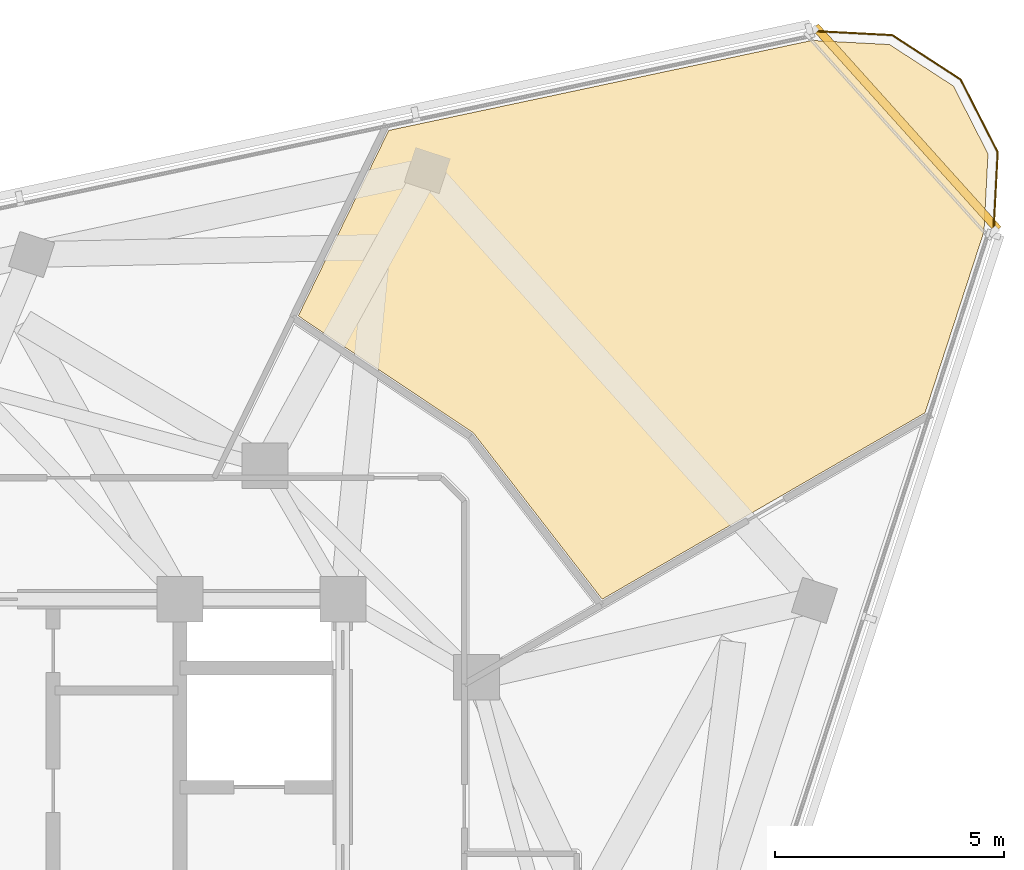
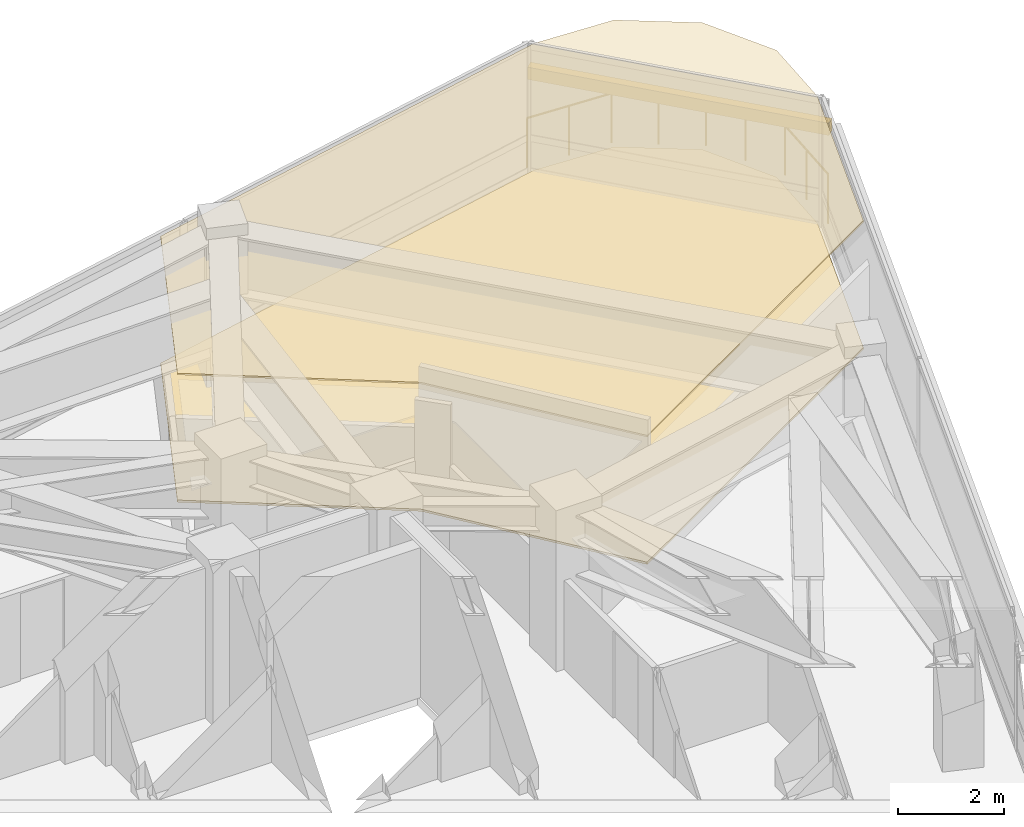
# One storey, part 15 of 15: 2 coverings, 1 railing, 1 shading device.
"""IFC4 building model written with IfcOpenShell, lengths in metres."""

from ifc_helpers import new_model, si_unit, direction, frame, origin, origin_2d, place, context, subcontext, project, spatial, polyline, rectangle, circle, outline, extrude, material, layer, layer_set, type_object, element, save


model = new_model("IFC4")

# Units and contexts
model_context = context("Model", 3, precision=1e-05, world=origin(), true_north=direction((0.0, 1.0)))
body_context = subcontext(model_context, "Body", "Model", "MODEL_VIEW")
ifc_project = project(units=[si_unit("LENGTHUNIT", "METRE"), si_unit("AREAUNIT", "SQUARE_METRE"), si_unit("VOLUMEUNIT", "CUBIC_METRE"), si_unit("PLANEANGLEUNIT", "RADIAN"), si_unit("MASSUNIT", "GRAM", prefix="KILO")], contexts=[model_context])

# Site, building, storey
site_placement = place(None, origin())
site = spatial("IfcSite", under=ifc_project, at=site_placement, CompositionType="ELEMENT")
building_placement = place(site_placement, origin())
building = spatial("IfcBuilding", under=site, at=building_placement, Name="Terralouvre Media Tower", CompositionType="ELEMENT")
storey_placement = place(building_placement, frame((0.0, 0.0, 309.10009765625)))
storey = spatial("IfcBuildingStorey", under=building, at=storey_placement, Name="L80", CompositionType="ELEMENT", Elevation=309.10009765625)

# Coverings
ifc_material_1 = material(Name="Resilient elastomer acoustic broadcast studio flooring")
ifc_layer_1 = layer(ifc_material_1, 0.050048828125, Name="Broadcast Studio Acoustic Floating Floor FL-AC1")
ifc_layer_set_1 = layer_set([ifc_layer_1], Name="Resilient elastomer acoustic broadcast studio flooring")
covering_type_1 = type_object("IfcCoveringType", Name="Broadcast Studio Acoustic Floating Floor FL-AC1", PredefinedType="FLOORING", material=ifc_layer_set_1)
covering_1_placement = place(storey_placement, frame((0.0, 0.0, 0.0), z_axis=(0.0, 0.0, 1.0), x_axis=(0.309016994375, 0.951056516295, 0.0)))
element("IfcCovering", 1, at=covering_1_placement, inside=storey, type_object=covering_type_1, Name="L80 Sound Engineers Crew Room 7 Acoustic Floating Floor", PredefinedType="FLOORING", context=body_context, shape_type="SweptSolid", body=[
    extrude(outline(polyline([(14.415771484375, -6.705078125), (14.412109375, -6.71533203125), (14.40771484375, -6.724853515625), (14.402099609375, -6.734130859375), (11.82763671875, -10.515380859375), (17.870849609375, -15.956298828125), (22.031494140625, -15.95654296875), (23.666015625, -15.51806640625), (24.841552734375, -14.342529296875), (25.272216796875, -12.73681640625), (24.834228515625, -11.10107421875), (20.115478515625, -2.927734375), (15.6572265625, -2.301513671875), (14.415771484375, -6.705078125)])), origin(), (0.0, 0.0, 1.0), 0.0498046875),
])
ifc_material_2 = material(Name="Perforated aluminium acoustic ceiling baffle", Category="aluminium")
ifc_layer_2 = layer(ifc_material_2, 0.0400390625, Name="Perforated Acoustic Metal Tile Ceiling CL-AC1")
ifc_layer_set_2 = layer_set([ifc_layer_2], Name="Perforated aluminium acoustic ceiling baffle")
covering_type_2 = type_object("IfcCoveringType", Name="Perforated Acoustic Metal Tile Ceiling CL-AC1", PredefinedType="CEILING", material=ifc_layer_set_2)
covering_2_placement = place(storey_placement, frame((0.0, 0.0, 2.919921875), z_axis=(0.0, 0.0, 1.0), x_axis=(0.309016994375, 0.951056516295, 0.0)))
element("IfcCovering", 2, at=covering_2_placement, inside=storey, type_object=covering_type_2, Name="L80 Sound Engineers Crew Room 7 Acoustic Ceiling", PredefinedType="CEILING", context=body_context, shape_type="SweptSolid", body=[
    extrude(outline(polyline([(14.415771484375, -6.705078125), (14.412109375, -6.71533203125), (14.40771484375, -6.724853515625), (14.402099609375, -6.734130859375), (11.82763671875, -10.515380859375), (17.870849609375, -15.956298828125), (22.031494140625, -15.95654296875), (23.666015625, -15.51806640625), (24.841552734375, -14.342529296875), (25.272216796875, -12.73681640625), (24.834228515625, -11.10107421875), (20.115478515625, -2.927734375), (15.6572265625, -2.301513671875), (14.415771484375, -6.705078125)])), origin(), (0.0, 0.0, 1.0), 0.0400390625),
])

# Railing
ifc_material_3 = material(Name="Stainless steel 316 handrail and balustrade", Category="steel")
ifc_layer_3 = layer(ifc_material_3, 0.06005859375, Name="Roof Edge Safety Guardrail GR-ROOF1")
ifc_layer_set_3 = layer_set([ifc_layer_3], Name="Stainless steel 316 handrail and balustrade")
railing_type = type_object("IfcRailingType", Name="Roof Edge Safety Guardrail GR-ROOF1", PredefinedType="GUARDRAIL", material=ifc_layer_set_3)
railing_placement = place(storey_placement, frame((22.189453125, 15.972900390625, 0.0)))
element("IfcRailing", 3, at=railing_placement, inside=storey, type_object=railing_type, Name="L80 Wind-Corner Perimeter Safety Guardrail C1", PredefinedType="GUARDRAIL", context=body_context, shape_type="SweptSolid", body=[
    extrude(circle(Radius=0.02099609375, at=origin_2d()), frame((0.0, 0.0, 1.12890625), z_axis=(0.052530038308, 0.998619344433, 0.0), x_axis=(-0.998619344433, 0.052530038308, 0.0)), (0.0, 0.0, 1.0), 1.780029296875),
    extrude(circle(Radius=0.02099609375, at=origin_2d()), frame((0.093505859375, 1.777587890625, 1.12890625), z_axis=(-0.453894958645, 0.891055198356, 0.0), x_axis=(-0.891055198356, -0.453894958645, 0.0)), (0.0, 0.0, 1.0), 1.77978515625),
    extrude(circle(Radius=0.02099609375, at=origin_2d()), frame((-0.71435546875, 3.363525390625, 1.12890625), z_axis=(-0.838763173907, 0.544496407791, 0.0), x_axis=(-0.544496407791, -0.838763173907, 0.0)), (0.0, 0.0, 1.0), 1.779541015625),
    extrude(circle(Radius=0.02099609375, at=origin_2d()), frame((-2.20703125, 4.33251953125, 1.12890625), z_axis=(-0.998641217395, 0.052112560095, 0.0), x_axis=(-0.052112560095, -0.998641217395, 0.0)), (0.0, 0.0, 1.0), 1.7802734375),
    extrude(circle(Radius=0.01904296875, at=origin_2d()), origin(), (0.0, 0.0, 1.0), 1.10791015625),
    extrude(circle(Radius=0.01904296875, at=origin_2d()), frame((0.046875, 0.888671875, 0.0)), (0.0, 0.0, 1.0), 1.10791015625),
    extrude(circle(Radius=0.01904296875, at=origin_2d()), frame((0.093505859375, 1.777587890625, 0.0)), (0.0, 0.0, 1.0), 1.10791015625),
    extrude(circle(Radius=0.01904296875, at=origin_2d()), frame((-0.310546875, 2.570556640625, 0.0)), (0.0, 0.0, 1.0), 1.10791015625),
    extrude(circle(Radius=0.01904296875, at=origin_2d()), frame((-0.71435546875, 3.363525390625, 0.0)), (0.0, 0.0, 1.0), 1.10791015625),
    extrude(circle(Radius=0.01904296875, at=origin_2d()), frame((-1.460693359375, 3.84814453125, 0.0)), (0.0, 0.0, 1.0), 1.10791015625),
    extrude(circle(Radius=0.01904296875, at=origin_2d()), frame((-2.20703125, 4.33251953125, 0.0)), (0.0, 0.0, 1.0), 1.10791015625),
    extrude(circle(Radius=0.01904296875, at=origin_2d()), frame((-3.095947265625, 4.37890625, 0.0)), (0.0, 0.0, 1.0), 1.10791015625),
    extrude(circle(Radius=0.01904296875, at=origin_2d()), frame((-3.98486328125, 4.42529296875, 0.0)), (0.0, 0.0, 1.0), 1.10791015625),
])

# Shading device
ifc_material_4 = material(Name="Extruded terracotta baguette sunshade louvres", Category="masonry")
shading_device_type = type_object("IfcShadingDeviceType", Name="Terracotta Baguette Sunshade Louvre Screen TB-LV1", PredefinedType="USERDEFINED", material=ifc_material_4)
shading_device_placement = place(storey_placement, frame((20.29736328125, 18.27587890625, 1.98681640625), z_axis=(0.0, 0.0, 1.0), x_axis=(-0.669130231192, 0.743145163279, 0.0)))
element("IfcShadingDevice", 4, at=shading_device_placement, inside=storey, type_object=shading_device_type, Name="CW-L80-C1 Terracotta Baguette Sunshade Louvre", ObjectType="BAGUETTE", PredefinedType="USERDEFINED", context=body_context, shape_type="SweptSolid", body=[
    extrude(rectangle(XDim=5.958251953125, YDim=0.179931640625, at=origin_2d()), origin(), (0.0, 0.0, 1.0), 0.280029296875),
])

save(model, "model.ifc")
